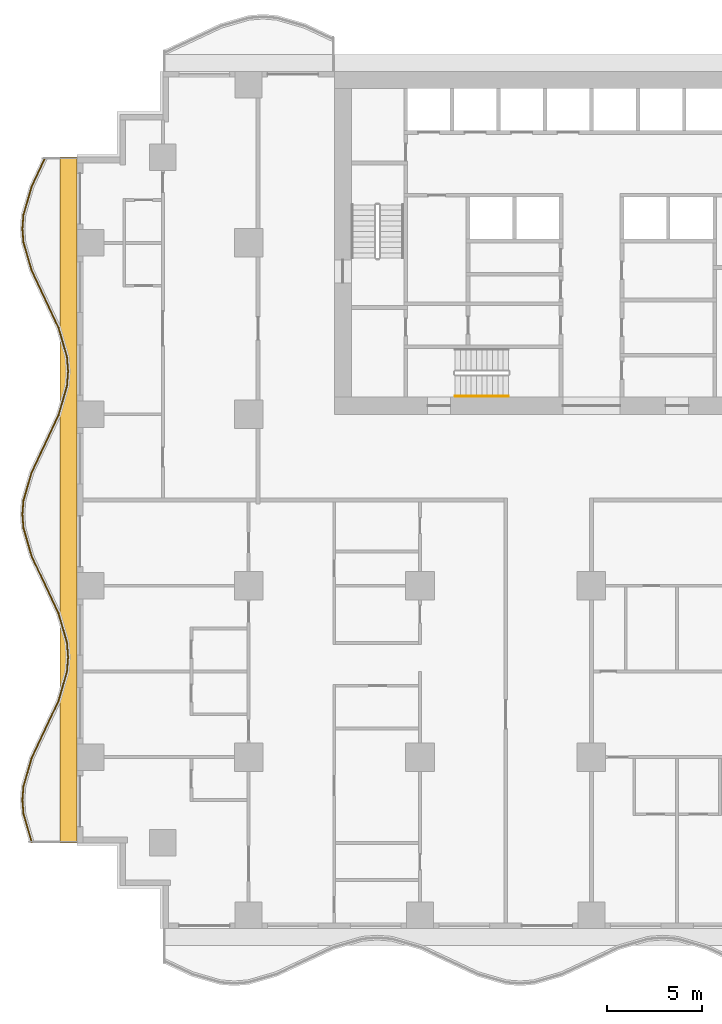
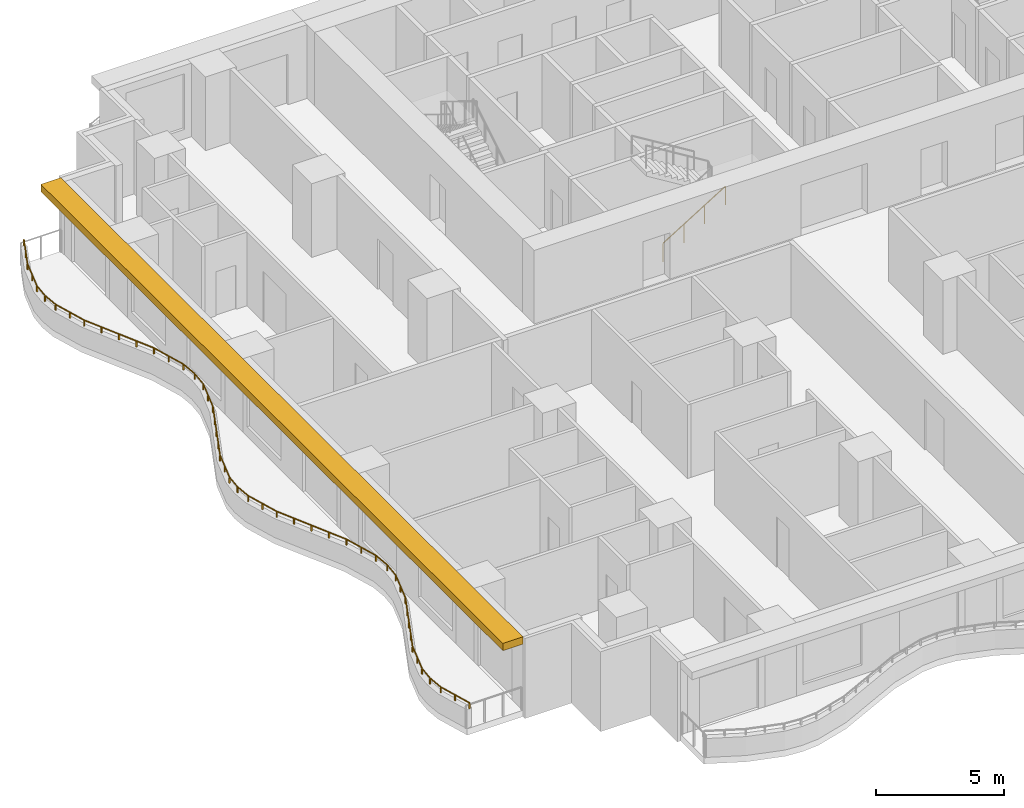
# One storey, part 9 of 14: 2 railings, 1 shading device.
"""IFC4 building model written with IfcOpenShell, lengths in metres."""

from ifc_helpers import new_model, si_unit, direction, frame, origin, origin_2d, place, context, subcontext, project, spatial, polyline, rectangle, circle, outline, extrude, material, layer, layer_set, type_object, element, save


model = new_model("IFC4")

# Units and contexts
model_context = context("Model", 3, precision=1e-05, world=origin(), true_north=direction((0.0, 1.0)))
body_context = subcontext(model_context, "Body", "Model", "MODEL_VIEW")
ifc_project = project(units=[si_unit("LENGTHUNIT", "METRE"), si_unit("AREAUNIT", "SQUARE_METRE"), si_unit("VOLUMEUNIT", "CUBIC_METRE"), si_unit("PLANEANGLEUNIT", "RADIAN"), si_unit("MASSUNIT", "GRAM", prefix="KILO")], contexts=[model_context])

# Site, building, storey
site_placement = place(None, origin())
site = spatial("IfcSite", under=ifc_project, at=site_placement, CompositionType="ELEMENT")
building_placement = place(site_placement, origin())
building = spatial("IfcBuilding", under=site, at=building_placement, Name="Orbiselva Terraces", CompositionType="ELEMENT")
storey_placement = place(building_placement, frame((0.0, 0.0, 45.4)))
storey = spatial("IfcBuildingStorey", under=building, at=storey_placement, Name="L11", CompositionType="ELEMENT", Elevation=45.4)

# Railings
ifc_material_1 = material(Name="Stainless steel", Category="steel")
railing_type_1 = type_object("IfcRailingType", Name="CORE-HANDRAIL-900", PredefinedType="HANDRAIL", material=ifc_material_1)
railing_1_placement = place(storey_placement, frame((-7.15, 5.45, 0.172727)))
element("IfcRailing", 1, at=railing_1_placement, inside=storey, type_object=railing_type_1, Name="L11 S3 stair handrail 1", PredefinedType="HANDRAIL", context=body_context, shape_type="SweptSolid", body=[
    extrude(circle(Radius=0.024, at=origin_2d()), frame((0.0, 0.0, 0.876), z_axis=(0.851088519012, 0.0, 0.52502222125), x_axis=(0.0, 1.0, 0.0)), (0.0, 0.0, 1.0), 3.289905),
    extrude(circle(Radius=0.021, at=origin_2d()), origin(), (0.0, 0.0, 1.0), 0.852),
    extrude(circle(Radius=0.021, at=origin_2d()), frame((0.933333, 0.0, 0.575758)), (0.0, 0.0, 1.0), 0.852),
    extrude(circle(Radius=0.021, at=origin_2d()), frame((1.866667, 0.0, 1.151515)), (0.0, 0.0, 1.0), 0.852),
    extrude(circle(Radius=0.021, at=origin_2d()), frame((2.8, 0.0, 1.727273)), (0.0, 0.0, 1.0), 0.852),
])
ifc_material_2 = material(Name="Bonded two-ply safety glass balustrade, stainless steel posts", Category="steel")
railing_type_2 = type_object("IfcRailingType", Name="ENV-BALUSTRADE-1200", PredefinedType="BALUSTRADE", material=ifc_material_2)
railing_2_placement = place(storey_placement, frame((-28.686882, 17.946809, 0.9)))
element("IfcRailing", 2, at=railing_2_placement, inside=storey, type_object=railing_type_2, Name="Balcony balustrade L11 W", PredefinedType="BALUSTRADE", context=body_context, shape_type="SweptSolid", body=[
    extrude(outline(polyline([(0.028868, 0.0), (0.014434, 0.025), (-0.014434, 0.025), (-0.028868, 0.0), (-0.014434, -0.025), (0.014434, -0.025), (0.028868, 0.0)])), frame((0.0, 0.0, 0.275), z_axis=(-0.425529912322, -0.904944359461, 0.0), x_axis=(0.904944359461, -0.425529912322, 0.0)), (0.0, 0.0, 1.0), 1.647746),
    extrude(outline(polyline([(0.028868, 0.0), (0.014434, 0.025), (-0.014434, 0.025), (-0.028868, 0.0), (-0.014434, -0.025), (0.014434, -0.025), (0.028868, 0.0)])), frame((-0.701165, -1.491118, 0.275), z_axis=(-0.279071528957, -0.960270317007, 0.0), x_axis=(0.960270317007, -0.279071528957, 0.0)), (0.0, 0.0, 1.0), 1.539408),
    extrude(outline(polyline([(0.028868, 0.0), (0.014434, 0.025), (-0.014434, 0.025), (-0.028868, 0.0), (-0.014434, -0.025), (0.014434, -0.025), (0.028868, 0.0)])), frame((-1.13077, -2.969366, 0.275), z_axis=(-0.078069536776, -0.996947916106, 0.0), x_axis=(0.996947916106, -0.078069536776, 0.0)), (0.0, 0.0, 1.0), 0.72967),
    extrude(outline(polyline([(0.028868, 0.0), (0.014434, 0.025), (-0.014434, 0.025), (-0.028868, 0.0), (-0.014434, -0.025), (0.014434, -0.025), (0.028868, 0.0)])), frame((-1.187735, -3.696809, 0.275), z_axis=(0.078069536776, -0.996947916106, 0.0), x_axis=(0.996947916106, 0.078069536776, 0.0)), (0.0, 0.0, 1.0), 0.72967),
    extrude(outline(polyline([(0.028868, 0.0), (0.014434, 0.025), (-0.014434, 0.025), (-0.028868, 0.0), (-0.014434, -0.025), (0.014434, -0.025), (0.028868, 0.0)])), frame((-1.13077, -4.424252, 0.275), z_axis=(0.279071528957, -0.960270317007, 0.0), x_axis=(0.960270317007, 0.279071528957, 0.0)), (0.0, 0.0, 1.0), 1.539408),
    extrude(outline(polyline([(0.028868, 0.0), (0.014434, 0.025), (-0.014434, 0.025), (-0.028868, 0.0), (-0.014434, -0.025), (0.014434, -0.025), (0.028868, 0.0)])), frame((-0.701165, -5.9025, 0.275), z_axis=(0.425529912322, -0.904944359461, 0.0), x_axis=(0.904944359461, 0.425529912322, 0.0)), (0.0, 0.0, 1.0), 1.647746),
    extrude(outline(polyline([(0.028868, 0.0), (0.014434, 0.025), (-0.014434, 0.025), (-0.028868, 0.0), (-0.014434, -0.025), (0.014434, -0.025), (0.028868, 0.0)])), frame((0.0, -7.393618, 0.275), z_axis=(0.425530342069, -0.904944157382, 0.0), x_axis=(0.904944157382, 0.425530342069, 0.0)), (0.0, 0.0, 1.0), 1.667376),
    extrude(outline(polyline([(0.028868, 0.0), (0.014434, 0.025), (-0.014434, 0.025), (-0.028868, 0.0), (-0.014434, -0.025), (0.014434, -0.025), (0.028868, 0.0)])), frame((0.709519, -8.9025, 0.275), z_axis=(0.279070928786, -0.960270491427, 0.0), x_axis=(0.960270491427, 0.279070928786, 0.0)), (0.0, 0.0, 1.0), 1.584712),
    extrude(outline(polyline([(0.028868, 0.0), (0.014434, 0.025), (-0.014434, 0.025), (-0.028868, 0.0), (-0.014434, -0.025), (0.014434, -0.025), (0.028868, 0.0)])), frame((1.151766, -10.424252, 0.275), z_axis=(0.078071061106, -0.996947796737, 0.0), x_axis=(0.996947796737, 0.078071061106, 0.0)), (0.0, 0.0, 1.0), 0.774922),
    extrude(outline(polyline([(0.028868, 0.0), (0.014434, 0.025), (-0.014434, 0.025), (-0.028868, 0.0), (-0.014434, -0.025), (0.014434, -0.025), (0.028868, 0.0)])), frame((1.212265, -11.196809, 0.275), z_axis=(-0.078071061106, -0.996947796737, 0.0), x_axis=(0.996947796737, -0.078071061106, 0.0)), (0.0, 0.0, 1.0), 0.774922),
    extrude(outline(polyline([(0.028868, 0.0), (0.014434, 0.025), (-0.014434, 0.025), (-0.028868, 0.0), (-0.014434, -0.025), (0.014434, -0.025), (0.028868, 0.0)])), frame((1.151766, -11.969366, 0.275), z_axis=(-0.279070928786, -0.960270491427, 0.0), x_axis=(0.960270491427, -0.279070928786, 0.0)), (0.0, 0.0, 1.0), 1.584712),
    extrude(outline(polyline([(0.028868, 0.0), (0.014434, 0.025), (-0.014434, 0.025), (-0.028868, 0.0), (-0.014434, -0.025), (0.014434, -0.025), (0.028868, 0.0)])), frame((0.709519, -13.491118, 0.275), z_axis=(-0.425530342069, -0.904944157382, 0.0), x_axis=(0.904944157382, -0.425530342069, 0.0)), (0.0, 0.0, 1.0), 1.667376),
    extrude(outline(polyline([(0.028868, 0.0), (0.014434, 0.025), (-0.014434, 0.025), (-0.028868, 0.0), (-0.014434, -0.025), (0.014434, -0.025), (0.028868, 0.0)])), frame((0.0, -15.0, 0.275), z_axis=(-0.425529912322, -0.904944359461, 0.0), x_axis=(0.904944359461, -0.425529912322, 0.0)), (0.0, 0.0, 1.0), 1.647746),
    extrude(outline(polyline([(0.028868, 0.0), (0.014434, 0.025), (-0.014434, 0.025), (-0.028868, 0.0), (-0.014434, -0.025), (0.014434, -0.025), (0.028868, 0.0)])), frame((-0.701165, -16.491118, 0.275), z_axis=(-0.279071528957, -0.960270317007, 0.0), x_axis=(0.960270317007, -0.279071528957, 0.0)), (0.0, 0.0, 1.0), 1.539408),
    extrude(outline(polyline([(0.028868, 0.0), (0.014434, 0.025), (-0.014434, 0.025), (-0.028868, 0.0), (-0.014434, -0.025), (0.014434, -0.025), (0.028868, 0.0)])), frame((-1.13077, -17.969366, 0.275), z_axis=(-0.078069536776, -0.996947916106, 0.0), x_axis=(0.996947916106, -0.078069536776, 0.0)), (0.0, 0.0, 1.0), 0.72967),
    extrude(outline(polyline([(0.028868, 0.0), (0.014434, 0.025), (-0.014434, 0.025), (-0.028868, 0.0), (-0.014434, -0.025), (0.014434, -0.025), (0.028868, 0.0)])), frame((-1.187735, -18.696809, 0.275), z_axis=(0.078069536776, -0.996947916106, 0.0), x_axis=(0.996947916106, 0.078069536776, 0.0)), (0.0, 0.0, 1.0), 0.72967),
    extrude(outline(polyline([(0.028868, 0.0), (0.014434, 0.025), (-0.014434, 0.025), (-0.028868, 0.0), (-0.014434, -0.025), (0.014434, -0.025), (0.028868, 0.0)])), frame((-1.13077, -19.424252, 0.275), z_axis=(0.279071528957, -0.960270317007, 0.0), x_axis=(0.960270317007, 0.279071528957, 0.0)), (0.0, 0.0, 1.0), 1.539408),
    extrude(outline(polyline([(0.028868, 0.0), (0.014434, 0.025), (-0.014434, 0.025), (-0.028868, 0.0), (-0.014434, -0.025), (0.014434, -0.025), (0.028868, 0.0)])), frame((-0.701165, -20.9025, 0.275), z_axis=(0.425529912322, -0.904944359461, 0.0), x_axis=(0.904944359461, 0.425529912322, 0.0)), (0.0, 0.0, 1.0), 1.647746),
    extrude(outline(polyline([(0.028868, 0.0), (0.014434, 0.025), (-0.014434, 0.025), (-0.028868, 0.0), (-0.014434, -0.025), (0.014434, -0.025), (0.028868, 0.0)])), frame((0.0, -22.393618, 0.275), z_axis=(0.425530342069, -0.904944157382, 0.0), x_axis=(0.904944157382, 0.425530342069, 0.0)), (0.0, 0.0, 1.0), 1.667376),
    extrude(outline(polyline([(0.028868, 0.0), (0.014434, 0.025), (-0.014434, 0.025), (-0.028868, 0.0), (-0.014434, -0.025), (0.014434, -0.025), (0.028868, 0.0)])), frame((0.709519, -23.9025, 0.275), z_axis=(0.279070928786, -0.960270491427, 0.0), x_axis=(0.960270491427, 0.279070928786, 0.0)), (0.0, 0.0, 1.0), 1.584712),
    extrude(outline(polyline([(0.028868, 0.0), (0.014434, 0.025), (-0.014434, 0.025), (-0.028868, 0.0), (-0.014434, -0.025), (0.014434, -0.025), (0.028868, 0.0)])), frame((1.151766, -25.424252, 0.275), z_axis=(0.078071061106, -0.996947796737, 0.0), x_axis=(0.996947796737, 0.078071061106, 0.0)), (0.0, 0.0, 1.0), 0.774922),
    extrude(outline(polyline([(0.028868, 0.0), (0.014434, 0.025), (-0.014434, 0.025), (-0.028868, 0.0), (-0.014434, -0.025), (0.014434, -0.025), (0.028868, 0.0)])), frame((1.212265, -26.196809, 0.275), z_axis=(-0.078071061106, -0.996947796737, 0.0), x_axis=(0.996947796737, -0.078071061106, 0.0)), (0.0, 0.0, 1.0), 0.774922),
    extrude(outline(polyline([(0.028868, 0.0), (0.014434, 0.025), (-0.014434, 0.025), (-0.028868, 0.0), (-0.014434, -0.025), (0.014434, -0.025), (0.028868, 0.0)])), frame((1.151766, -26.969366, 0.275), z_axis=(-0.279070928786, -0.960270491427, 0.0), x_axis=(0.960270491427, -0.279070928786, 0.0)), (0.0, 0.0, 1.0), 1.584712),
    extrude(outline(polyline([(0.028868, 0.0), (0.014434, 0.025), (-0.014434, 0.025), (-0.028868, 0.0), (-0.014434, -0.025), (0.014434, -0.025), (0.028868, 0.0)])), frame((0.709519, -28.491118, 0.275), z_axis=(-0.425530342069, -0.904944157382, 0.0), x_axis=(0.904944157382, -0.425530342069, 0.0)), (0.0, 0.0, 1.0), 1.667376),
    extrude(outline(polyline([(0.028868, 0.0), (0.014434, 0.025), (-0.014434, 0.025), (-0.028868, 0.0), (-0.014434, -0.025), (0.014434, -0.025), (0.028868, 0.0)])), frame((0.0, -30.0, 0.275), z_axis=(-0.425529912322, -0.904944359461, 0.0), x_axis=(0.904944359461, -0.425529912322, 0.0)), (0.0, 0.0, 1.0), 1.647746),
    extrude(outline(polyline([(0.028868, 0.0), (0.014434, 0.025), (-0.014434, 0.025), (-0.028868, 0.0), (-0.014434, -0.025), (0.014434, -0.025), (0.028868, 0.0)])), frame((-0.701165, -31.491118, 0.275), z_axis=(-0.279071528957, -0.960270317007, 0.0), x_axis=(0.960270317007, -0.279071528957, 0.0)), (0.0, 0.0, 1.0), 1.539408),
    extrude(outline(polyline([(0.028868, 0.0), (0.014434, 0.025), (-0.014434, 0.025), (-0.028868, 0.0), (-0.014434, -0.025), (0.014434, -0.025), (0.028868, 0.0)])), frame((-1.13077, -32.969366, 0.275), z_axis=(-0.078069536776, -0.996947916106, 0.0), x_axis=(0.996947916106, -0.078069536776, 0.0)), (0.0, 0.0, 1.0), 0.72967),
    extrude(outline(polyline([(0.028868, 0.0), (0.014434, 0.025), (-0.014434, 0.025), (-0.028868, 0.0), (-0.014434, -0.025), (0.014434, -0.025), (0.028868, 0.0)])), frame((-1.187735, -33.696809, 0.275), z_axis=(0.078069536776, -0.996947916106, 0.0), x_axis=(0.996947916106, 0.078069536776, 0.0)), (0.0, 0.0, 1.0), 0.72967),
    extrude(outline(polyline([(0.028868, 0.0), (0.014434, 0.025), (-0.014434, 0.025), (-0.028868, 0.0), (-0.014434, -0.025), (0.014434, -0.025), (0.028868, 0.0)])), frame((-1.13077, -34.424252, 0.275), z_axis=(0.279071486336, -0.960270329394, 0.0), x_axis=(0.960270329394, 0.279071486336, 0.0)), (0.0, 0.0, 1.0), 1.549223),
    extrude(rectangle(XDim=0.05, YDim=0.05, at=origin_2d()), origin(), (0.0, 0.0, 1.0), 0.25),
    extrude(rectangle(XDim=0.05, YDim=0.05, at=origin_2d()), frame((-0.350582, -0.745559, 0.0)), (0.0, 0.0, 1.0), 0.25),
    extrude(rectangle(XDim=0.05, YDim=0.05, at=origin_2d()), frame((-0.701165, -1.491118, 0.0)), (0.0, 0.0, 1.0), 0.25),
    extrude(rectangle(XDim=0.05, YDim=0.05, at=origin_2d()), frame((-0.915967, -2.230242, 0.0)), (0.0, 0.0, 1.0), 0.25),
    extrude(rectangle(XDim=0.05, YDim=0.05, at=origin_2d()), frame((-1.13077, -2.969366, 0.0)), (0.0, 0.0, 1.0), 0.25),
    extrude(rectangle(XDim=0.05, YDim=0.05, at=origin_2d()), frame((-1.187735, -3.696809, 0.0)), (0.0, 0.0, 1.0), 0.25),
    extrude(rectangle(XDim=0.05, YDim=0.05, at=origin_2d()), frame((-1.13077, -4.424252, 0.0)), (0.0, 0.0, 1.0), 0.25),
    extrude(rectangle(XDim=0.05, YDim=0.05, at=origin_2d()), frame((-0.915967, -5.163376, 0.0)), (0.0, 0.0, 1.0), 0.25),
    extrude(rectangle(XDim=0.05, YDim=0.05, at=origin_2d()), frame((-0.701165, -5.9025, 0.0)), (0.0, 0.0, 1.0), 0.25),
    extrude(rectangle(XDim=0.05, YDim=0.05, at=origin_2d()), frame((-0.350582, -6.648059, 0.0)), (0.0, 0.0, 1.0), 0.25),
    extrude(rectangle(XDim=0.05, YDim=0.05, at=origin_2d()), frame((0.0, -7.393618, 0.0)), (0.0, 0.0, 1.0), 0.25),
    extrude(rectangle(XDim=0.05, YDim=0.05, at=origin_2d()), frame((0.35476, -8.148059, 0.0)), (0.0, 0.0, 1.0), 0.25),
    extrude(rectangle(XDim=0.05, YDim=0.05, at=origin_2d()), frame((0.709519, -8.9025, 0.0)), (0.0, 0.0, 1.0), 0.25),
    extrude(rectangle(XDim=0.05, YDim=0.05, at=origin_2d()), frame((0.930643, -9.663376, 0.0)), (0.0, 0.0, 1.0), 0.25),
    extrude(rectangle(XDim=0.05, YDim=0.05, at=origin_2d()), frame((1.151766, -10.424252, 0.0)), (0.0, 0.0, 1.0), 0.25),
    extrude(rectangle(XDim=0.05, YDim=0.05, at=origin_2d()), frame((1.212265, -11.196809, 0.0)), (0.0, 0.0, 1.0), 0.25),
    extrude(rectangle(XDim=0.05, YDim=0.05, at=origin_2d()), frame((1.151766, -11.969366, 0.0)), (0.0, 0.0, 1.0), 0.25),
    extrude(rectangle(XDim=0.05, YDim=0.05, at=origin_2d()), frame((0.930643, -12.730242, 0.0)), (0.0, 0.0, 1.0), 0.25),
    extrude(rectangle(XDim=0.05, YDim=0.05, at=origin_2d()), frame((0.709519, -13.491118, 0.0)), (0.0, 0.0, 1.0), 0.25),
    extrude(rectangle(XDim=0.05, YDim=0.05, at=origin_2d()), frame((0.35476, -14.245559, 0.0)), (0.0, 0.0, 1.0), 0.25),
    extrude(rectangle(XDim=0.05, YDim=0.05, at=origin_2d()), frame((0.0, -15.0, 0.0)), (0.0, 0.0, 1.0), 0.25),
    extrude(rectangle(XDim=0.05, YDim=0.05, at=origin_2d()), frame((-0.350582, -15.745559, 0.0)), (0.0, 0.0, 1.0), 0.25),
    extrude(rectangle(XDim=0.05, YDim=0.05, at=origin_2d()), frame((-0.701165, -16.491118, 0.0)), (0.0, 0.0, 1.0), 0.25),
    extrude(rectangle(XDim=0.05, YDim=0.05, at=origin_2d()), frame((-0.915967, -17.230242, 0.0)), (0.0, 0.0, 1.0), 0.25),
    extrude(rectangle(XDim=0.05, YDim=0.05, at=origin_2d()), frame((-1.13077, -17.969366, 0.0)), (0.0, 0.0, 1.0), 0.25),
    extrude(rectangle(XDim=0.05, YDim=0.05, at=origin_2d()), frame((-1.187735, -18.696809, 0.0)), (0.0, 0.0, 1.0), 0.25),
    extrude(rectangle(XDim=0.05, YDim=0.05, at=origin_2d()), frame((-1.13077, -19.424252, 0.0)), (0.0, 0.0, 1.0), 0.25),
    extrude(rectangle(XDim=0.05, YDim=0.05, at=origin_2d()), frame((-0.915967, -20.163376, 0.0)), (0.0, 0.0, 1.0), 0.25),
    extrude(rectangle(XDim=0.05, YDim=0.05, at=origin_2d()), frame((-0.701165, -20.9025, 0.0)), (0.0, 0.0, 1.0), 0.25),
    extrude(rectangle(XDim=0.05, YDim=0.05, at=origin_2d()), frame((-0.350582, -21.648059, 0.0)), (0.0, 0.0, 1.0), 0.25),
    extrude(rectangle(XDim=0.05, YDim=0.05, at=origin_2d()), frame((0.0, -22.393618, 0.0)), (0.0, 0.0, 1.0), 0.25),
    extrude(rectangle(XDim=0.05, YDim=0.05, at=origin_2d()), frame((0.35476, -23.148059, 0.0)), (0.0, 0.0, 1.0), 0.25),
    extrude(rectangle(XDim=0.05, YDim=0.05, at=origin_2d()), frame((0.709519, -23.9025, 0.0)), (0.0, 0.0, 1.0), 0.25),
    extrude(rectangle(XDim=0.05, YDim=0.05, at=origin_2d()), frame((0.930643, -24.663376, 0.0)), (0.0, 0.0, 1.0), 0.25),
    extrude(rectangle(XDim=0.05, YDim=0.05, at=origin_2d()), frame((1.151766, -25.424252, 0.0)), (0.0, 0.0, 1.0), 0.25),
    extrude(rectangle(XDim=0.05, YDim=0.05, at=origin_2d()), frame((1.212265, -26.196809, 0.0)), (0.0, 0.0, 1.0), 0.25),
    extrude(rectangle(XDim=0.05, YDim=0.05, at=origin_2d()), frame((1.151766, -26.969366, 0.0)), (0.0, 0.0, 1.0), 0.25),
    extrude(rectangle(XDim=0.05, YDim=0.05, at=origin_2d()), frame((0.930643, -27.730242, 0.0)), (0.0, 0.0, 1.0), 0.25),
    extrude(rectangle(XDim=0.05, YDim=0.05, at=origin_2d()), frame((0.709519, -28.491118, 0.0)), (0.0, 0.0, 1.0), 0.25),
    extrude(rectangle(XDim=0.05, YDim=0.05, at=origin_2d()), frame((0.35476, -29.245559, 0.0)), (0.0, 0.0, 1.0), 0.25),
    extrude(rectangle(XDim=0.05, YDim=0.05, at=origin_2d()), frame((0.0, -30.0, 0.0)), (0.0, 0.0, 1.0), 0.25),
    extrude(rectangle(XDim=0.05, YDim=0.05, at=origin_2d()), frame((-0.350582, -30.745559, 0.0)), (0.0, 0.0, 1.0), 0.25),
    extrude(rectangle(XDim=0.05, YDim=0.05, at=origin_2d()), frame((-0.701165, -31.491118, 0.0)), (0.0, 0.0, 1.0), 0.25),
    extrude(rectangle(XDim=0.05, YDim=0.05, at=origin_2d()), frame((-0.915967, -32.230242, 0.0)), (0.0, 0.0, 1.0), 0.25),
    extrude(rectangle(XDim=0.05, YDim=0.05, at=origin_2d()), frame((-1.13077, -32.969366, 0.0)), (0.0, 0.0, 1.0), 0.25),
    extrude(rectangle(XDim=0.05, YDim=0.05, at=origin_2d()), frame((-1.187735, -33.696809, 0.0)), (0.0, 0.0, 1.0), 0.25),
    extrude(rectangle(XDim=0.05, YDim=0.05, at=origin_2d()), frame((-1.13077, -34.424252, 0.0)), (0.0, 0.0, 1.0), 0.25),
    extrude(rectangle(XDim=0.05, YDim=0.05, at=origin_2d()), frame((-0.914598, -35.168088, 0.0)), (0.0, 0.0, 1.0), 0.25),
    extrude(rectangle(XDim=0.05, YDim=0.05, at=origin_2d()), frame((-0.698426, -35.911925, 0.0)), (0.0, 0.0, 1.0), 0.25),
])

# Shading device
ifc_material_3 = material(Name="Terracotta baguette sunshade", Category="masonry")
ifc_layer = layer(ifc_material_3, 0.35)
ifc_layer_set = layer_set([ifc_layer], Name="Terracotta baguette sunshade")
shading_device_type = type_object("IfcShadingDeviceType", Name="ENV-SUNSHADE-900x350", PredefinedType="USERDEFINED", material=ifc_layer_set)
shading_device_placement = place(storey_placement, frame((0.0, 0.0, 3.15)))
element("IfcShadingDevice", 3, at=shading_device_placement, inside=storey, type_object=shading_device_type, Name="Sunshade band L11 W", ObjectType="SUNSHADE", PredefinedType="USERDEFINED", context=body_context, shape_type="SweptSolid", body=[
    extrude(outline(polyline([(-27.9, 18.0), (-27.9, -18.0), (-27.0, -18.0), (-27.0, 18.0), (-27.9, 18.0)])), origin(), (0.0, 0.0, 1.0), 0.35),
])

save(model, "model.ifc")
